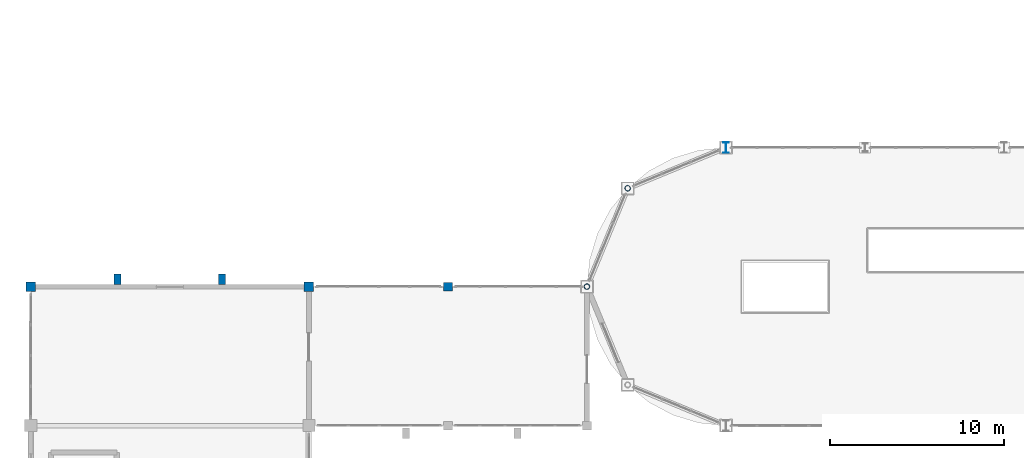
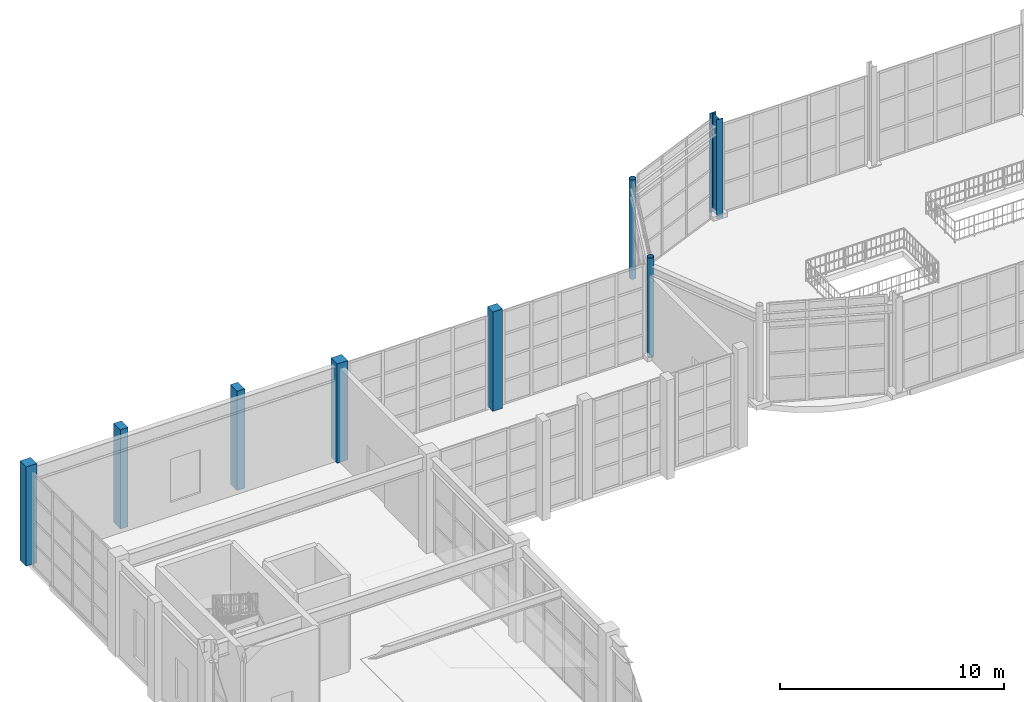
# One storey, part 6 of 82: 8 columns.
"""IFC4 building model written with IfcOpenShell, lengths in metres."""

from ifc_helpers import new_model, si_unit, direction, frame, origin, origin_2d, place, context, subcontext, project, spatial, rectangle, hollow_circle, i_section, extrude, material, material_profile, profile_set, type_object, element, save


model = new_model("IFC4")

# Units and contexts
model_context = context("Model", 3, precision=1e-05, world=origin(), true_north=direction((0.0, 1.0)))
body_context = subcontext(model_context, "Body", "Model", "MODEL_VIEW")
ifc_project = project(units=[si_unit("LENGTHUNIT", "METRE"), si_unit("AREAUNIT", "SQUARE_METRE"), si_unit("VOLUMEUNIT", "CUBIC_METRE"), si_unit("PLANEANGLEUNIT", "RADIAN"), si_unit("MASSUNIT", "GRAM", prefix="KILO")], contexts=[model_context])

# Site, building, storey
site_placement = place(None, origin())
site = spatial("IfcSite", under=ifc_project, at=site_placement, CompositionType="ELEMENT")
building_placement = place(site_placement, origin())
building = spatial("IfcBuilding", under=site, at=building_placement, Name="Serraluz Foothill Cableway Terminal", CompositionType="ELEMENT")
storey_placement = place(building_placement, frame((0.0, 0.0, 9.60009765625)))
storey = spatial("IfcBuildingStorey", under=building, at=storey_placement, Name="L02", CompositionType="ELEMENT", Elevation=9.60009765625)

# Columns
ifc_material_1 = material(Name="Steel ASTM A572 Grade 50", Category="steel")
ifc_material_profile_1 = material_profile(ifc_material_1, hollow_circle(Radius=0.161865234375, WallThickness=0.01611328125, at=origin_2d()), Name="CHS324X16")
ifc_profile_set_1 = profile_set([ifc_material_profile_1], Name="Steel ASTM A572 Grade 50")
column_type_1 = type_object("IfcColumnType", Name="TYP-COL-CHS324", PredefinedType="COLUMN", material=ifc_profile_set_1)
for number, where, z_axis, x_axis, name in (
    (1, (32.0, 64.0, 0.0), (0.0, 0.0, 1.0), (1.0, 0.0, 0.0), "Column COL-V1-ARC-W2-L02"),
    (2, (34.343017578125, 69.656982421875, 0.0), (0.0, 0.0, 1.0), (1.0, 0.0, 0.0), "Column COL-V1-ARC-W3-L02"),
):
    element("IfcColumn", number, at=place(storey_placement, frame(where, z_axis=z_axis, x_axis=x_axis)), inside=storey, type_object=column_type_1, Name=name, PredefinedType="COLUMN", context=body_context, shape_type="SweptSolid", body=[
        extrude(hollow_circle(Radius=0.161865234375, WallThickness=0.01611328125, at=origin_2d()), origin(), (0.0, 0.0, 1.0), 5.39990234375),
    ])
ifc_material_2 = material(Name="Concrete C35/45 (f'c 35 MPa)", Category="concrete")
ifc_material_profile_2 = material_profile(ifc_material_2, rectangle(XDim=0.5, YDim=0.5, at=origin_2d()), Name="RC 500x500")
ifc_profile_set_2 = profile_set([ifc_material_profile_2], Name="Concrete C35/45 (f'c 35 MPa)")
column_type_2 = type_object("IfcColumnType", Name="TYP-COL-RC500", PredefinedType="COLUMN", material=ifc_profile_set_2)
column_1_placement = place(storey_placement, frame((24.0, 64.0, 0.0), z_axis=(0.0, 0.0, 1.0), x_axis=(1.0, 0.0, 0.0)))
element("IfcColumn", 3, at=column_1_placement, inside=storey, type_object=column_type_2, Name="Column COL-V5-LK-24-64-L02", PredefinedType="COLUMN", context=body_context, shape_type="SweptSolid", body=[
    extrude(rectangle(XDim=0.5, YDim=0.5, at=origin_2d()), origin(), (0.0, 0.0, 1.0), 5.39990234375),
])
ifc_material_profile_3 = material_profile(ifc_material_2, rectangle(XDim=0.550048828125, YDim=0.550048828125, at=origin_2d()), Name="RC 550x550")
ifc_profile_set_3 = profile_set([ifc_material_profile_3], Name="Concrete C35/45 (f'c 35 MPa)")
column_type_3 = type_object("IfcColumnType", Name="TYP-COL-RC550", PredefinedType="COLUMN", material=ifc_profile_set_3)
for number, where, z_axis, x_axis, name in (
    (4, (0.0, 64.0, 0.0), (0.0, 0.0, 1.0), (1.0, 0.0, 0.0), "Column COL-V5-0-64-L02"),
    (5, (16.0, 64.0, 0.0), (0.0, 0.0, 1.0), (1.0, 0.0, 0.0), "Column COL-V5-16-64-L02"),
):
    element("IfcColumn", number, at=place(storey_placement, frame(where, z_axis=z_axis, x_axis=x_axis)), inside=storey, type_object=column_type_3, Name=name, PredefinedType="COLUMN", context=body_context, shape_type="SweptSolid", body=[
        extrude(rectangle(XDim=0.550048828125, YDim=0.550048828125, at=origin_2d()), origin(), (0.0, 0.0, 1.0), 5.39990234375),
    ])
ifc_material_3 = material(Name="Steel ASTM A992 Grade 50", Category="steel")
ifc_material_profile_4 = material_profile(ifc_material_3, i_section(OverallWidth=0.324951171875, OverallDepth=0.615966796875, WebThickness=0.013916015625, FlangeThickness=0.021484375, FilletRadius=0.01806640625, at=origin_2d()), Name="W24X117")
ifc_profile_set_4 = profile_set([ifc_material_profile_4], Name="Steel ASTM A992 Grade 50")
column_type_4 = type_object("IfcColumnType", Name="TYP-COL-W24X117", PredefinedType="COLUMN", material=ifc_profile_set_4)
column_2_placement = place(storey_placement, frame((40.0, 72.0, 0.0), z_axis=(0.0, 0.0, 1.0), x_axis=(1.0, 0.0, 0.0)))
element("IfcColumn", 6, at=column_2_placement, inside=storey, type_object=column_type_4, Name="Column COL-V1-N-40-L02", PredefinedType="COLUMN", context=body_context, shape_type="SweptSolid", body=[
    extrude(i_section(OverallWidth=0.324951171875, OverallDepth=0.615966796875, WebThickness=0.013916015625, FlangeThickness=0.021484375, FilletRadius=0.01806640625, at=origin_2d()), origin(), (0.0, 0.0, 1.0), 5.39990234375),
])
ifc_material_4 = material(Name="Fired clay masonry brick (f'm 12 MPa)", Category="masonry")
ifc_material_profile_5 = material_profile(ifc_material_4, rectangle(XDim=0.39990234375, YDim=0.60009765625, at=origin_2d()), Name="PIL 400x600")
ifc_profile_set_5 = profile_set([ifc_material_profile_5], Name="Fired clay masonry brick (f'm 12 MPa)")
column_type_5 = type_object("IfcColumnType", Name="TYP-PIL-400X600", PredefinedType="PILASTER", material=ifc_profile_set_5)
for number, where, z_axis, x_axis, name in (
    (7, (5.0, 64.419921875, 0.0), (0.0, 0.0, 1.0), (1.0, 0.0, 0.0), "Brick Pilaster Pier PL-36 L02"),
    (8, (11.0, 64.419921875, 0.0), (0.0, 0.0, 1.0), (1.0, 0.0, 0.0), "Brick Pilaster Pier PL-37 L02"),
):
    element("IfcColumn", number, at=place(storey_placement, frame(where, z_axis=z_axis, x_axis=x_axis)), inside=storey, type_object=column_type_5, Name=name, PredefinedType="PILASTER", context=body_context, shape_type="SweptSolid", body=[
        extrude(rectangle(XDim=0.39990234375, YDim=0.60009765625, at=origin_2d()), origin(), (0.0, 0.0, 1.0), 5.39990234375),
    ])

save(model, "model.ifc")
